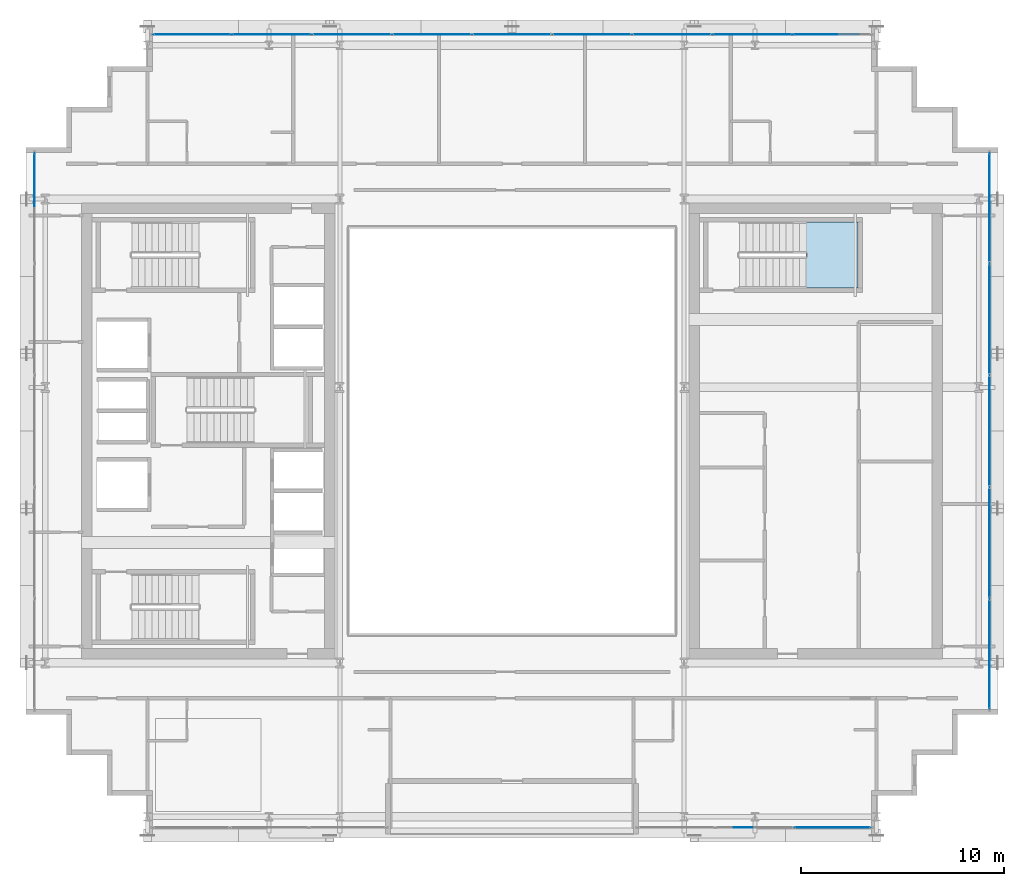
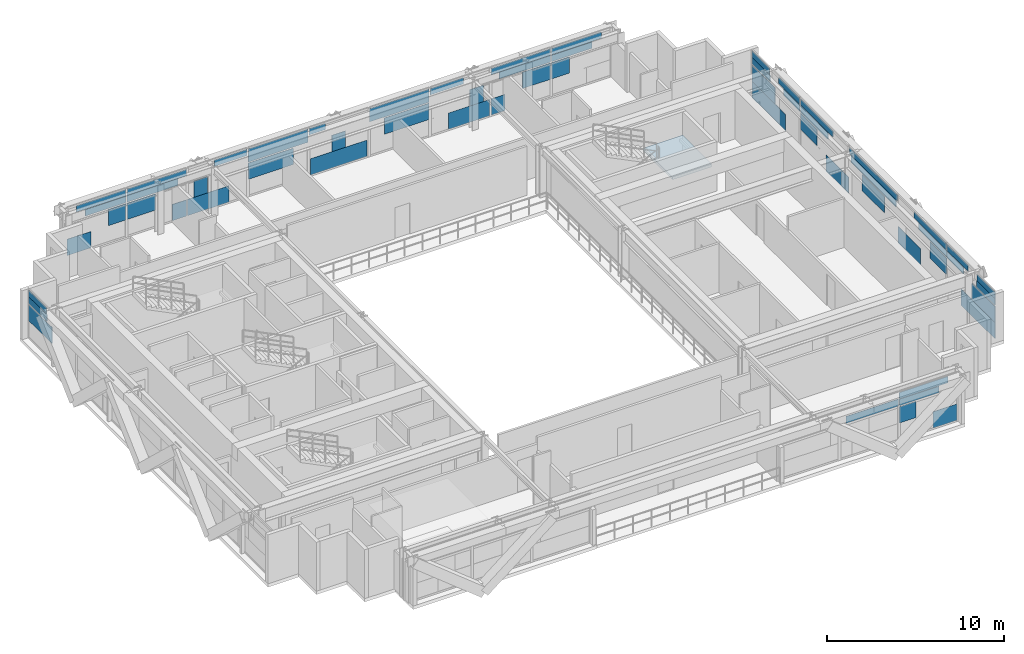
# One storey, part 21 of 31: 59 plates, 1 slab, 5 elements without a shape of their own.
"""IFC4 building model written with IfcOpenShell, lengths in metres."""

from ifc_helpers import new_model, si_unit, direction, frame, origin, origin_2d, place, context, subcontext, project, spatial, polyline, rectangle, outline, extrude, source, transform, mapped, material, layer, layer_set, type_object, element, aggregate, save


model = new_model("IFC4")

# Units and contexts
model_context = context("Model", 3, precision=1e-05, world=origin(), true_north=direction((0.0, 1.0)))
body_context = subcontext(model_context, "Body", "Model", "MODEL_VIEW")
ifc_project = project(units=[si_unit("LENGTHUNIT", "METRE"), si_unit("AREAUNIT", "SQUARE_METRE"), si_unit("VOLUMEUNIT", "CUBIC_METRE"), si_unit("PLANEANGLEUNIT", "RADIAN"), si_unit("MASSUNIT", "GRAM", prefix="KILO")], contexts=[model_context])

# Site, building, storey
site_placement = place(None, origin())
site = spatial("IfcSite", under=ifc_project, at=site_placement, CompositionType="ELEMENT")
building_placement = place(site_placement, origin())
building = spatial("IfcBuilding", under=site, at=building_placement, Name="Ocotamira Hotel", CompositionType="ELEMENT")
storey_placement = place(building_placement, frame((0.0, 0.0, 199.199951171875)))
storey = spatial("IfcBuildingStorey", under=building, at=storey_placement, Name="L50", CompositionType="ELEMENT", Elevation=199.199951171875)

# Stair, slab
ifc_material_1 = material(Name="Concrete C40/50", Category="concrete")
stair_type = type_object("IfcStairType", Name="ST-CORE-1560", PredefinedType="HALF_TURN_STAIR", material=ifc_material_1)
stair_placement = place(storey_placement, origin())
stair = element("IfcStair", 1, at=stair_placement, inside=storey, type_object=stair_type, Name="L50 Exit Stair ST-4", PredefinedType="HALF_TURN_STAIR")
ifc_layer_1 = layer(ifc_material_1, 0.199951171875)
ifc_layer_set_1 = layer_set([ifc_layer_1], Name="Concrete C40/50")
slab_type = type_object("IfcSlabType", Name="SLB-LAND-200", PredefinedType="LANDING", material=ifc_layer_set_1)
slab_placement = place(storey_placement, frame((0.0, 0.0, 1.60009765625)))
slab = element("IfcSlab", 2, at=slab_placement, type_object=slab_type, Name="ST-4 landing 1", PredefinedType="LANDING", context=body_context, shape_type="SweptSolid", body=[
    extrude(outline(polyline([(46.530029296875, 33.050048828125), (49.090087890625, 33.050048828125), (49.090087890625, 36.330078125), (46.530029296875, 36.330078125), (46.530029296875, 33.050048828125)])), origin(), (0.0, 0.0, 1.0), 0.199951171875),
])
aggregate(stair, [slab])

# Curtain wall, plate
ifc_material_2 = material(Name="Anodised pale-metal aluminium and solar glass", Category="aluminium")
ifc_layer_2 = layer(ifc_material_2, 0.199951171875)
ifc_layer_set_2 = layer_set([ifc_layer_2], Name="Anodised pale-metal aluminium and solar glass")
curtain_wall_type = type_object("IfcCurtainWallType", Name="CW-SYS4-Z3", PredefinedType="NOTDEFINED", material=ifc_layer_set_2)
curtain_wall_1_placement = place(storey_placement, origin())
curtain_wall_1 = element("IfcCurtainWall", 3, at=curtain_wall_1_placement, inside=storey, type_object=curtain_wall_type, Name="L50 Curtain Wall CW-4 CW-L50-S2", PredefinedType="NOTDEFINED")
ifc_material_3 = material(Name="Double-silver low-E insulated solar glass", Category="glass")
ifc_layer_3 = layer(ifc_material_3, 0.031982421875)
ifc_layer_set_3 = layer_set([ifc_layer_3], Name="Double-silver low-E insulated solar glass")
plate_type = type_object("IfcPlateType", Name="CWP-VISION-32", PredefinedType="CURTAIN_PANEL", material=ifc_layer_set_3)
shared_shape_1 = source(origin(), body_context, "Body", "SweptSolid", [
    extrude(rectangle(XDim=1.5673828125, YDim=0.031982421875, at=origin_2d()), origin(), (0.0, 0.0, 1.0), 1.118896484375),
])
plate_1_placement = place(storey_placement, frame((48.936279296875, 6.419921875, 0.0751953125), z_axis=(0.0, 0.0, 1.0), x_axis=(1.0, 0.0, 0.0)))
plate_1 = element("IfcPlate", 4, at=plate_1_placement, type_object=plate_type, Name="CW-4 panel 3.1.2", PredefinedType="CURTAIN_PANEL", context=body_context, shape_type="MappedRepresentation", body=[
    mapped(shared_shape_1, transform((0.0, 0.0, 0.0), scale=1.0)),
])

# Curtain wall, plates
curtain_wall_2_placement = place(storey_placement, origin())
curtain_wall_2 = element("IfcCurtainWall", 5, at=curtain_wall_2_placement, inside=storey, type_object=curtain_wall_type, Name="L50 Curtain Wall CW-4 CW-L50-N", PredefinedType="NOTDEFINED")
plate_2_placement = place(storey_placement, frame((15.063720703125, 45.580078125, 0.0751953125), z_axis=(0.0, 0.0, 1.0), x_axis=(1.0, 0.0, 0.0)))
plate_2 = element("IfcPlate", 6, at=plate_2_placement, type_object=plate_type, Name="CW-4 panel 1.1.1", PredefinedType="CURTAIN_PANEL", context=body_context, shape_type="MappedRepresentation", body=[
    mapped(shared_shape_1, transform((0.0, 0.0, 0.0), scale=1.0)),
])
shared_shape_2 = source(origin(), body_context, "Body", "SweptSolid", [
    extrude(rectangle(XDim=1.1474609375, YDim=0.031982421875, at=origin_2d()), origin(), (0.0, 0.0, 1.0), 1.11865234375),
])
plate_3_placement = place(storey_placement, frame((17.541748046875, 45.580078125, 1.19384765625), z_axis=(0.0, 0.0, 1.0), x_axis=(1.0, 0.0, 0.0)))
plate_3 = element("IfcPlate", 7, at=plate_3_placement, type_object=plate_type, Name="CW-4 panel 1.1.2", PredefinedType="CURTAIN_PANEL", context=body_context, shape_type="MappedRepresentation", body=[
    mapped(shared_shape_2, transform((0.0, 0.0, 0.0), scale=1.0)),
])
plate_4_placement = place(storey_placement, frame((46.458251953125, 45.580078125, 1.19384765625), z_axis=(0.0, 0.0, 1.0), x_axis=(1.0, 0.0, 0.0)))
plate_4 = element("IfcPlate", 8, at=plate_4_placement, type_object=plate_type, Name="CW-4 panel 9.1.1", PredefinedType="CURTAIN_PANEL", context=body_context, shape_type="MappedRepresentation", body=[
    mapped(shared_shape_2, transform((0.0, 0.0, 0.0), scale=1.0)),
])
shared_shape_3 = source(origin(), body_context, "Body", "SweptSolid", [
    extrude(rectangle(XDim=3.233154296875, YDim=0.031982421875, at=origin_2d()), origin(), (0.0, 0.0, 1.0), 0.4326171875),
])
plate_5_placement = place(storey_placement, frame((16.4990234375, 45.580078125, 2.862548828125), z_axis=(0.0, 0.0, 1.0), x_axis=(1.0, 0.0, 0.0)))
plate_5 = element("IfcPlate", 9, at=plate_5_placement, type_object=plate_type, Name="CW-4 panel 1.2.1", PredefinedType="CURTAIN_PANEL", context=body_context, shape_type="MappedRepresentation", body=[
    mapped(shared_shape_3, transform((0.0, 0.0, 0.0), scale=1.0)),
])
plate_6_placement = place(storey_placement, frame((47.5009765625, 45.580078125, 2.862548828125), z_axis=(0.0, 0.0, 1.0), x_axis=(1.0, 0.0, 0.0)))
plate_6 = element("IfcPlate", 10, at=plate_6_placement, type_object=plate_type, Name="CW-4 panel 9.2.2", PredefinedType="CURTAIN_PANEL", context=body_context, shape_type="MappedRepresentation", body=[
    mapped(shared_shape_3, transform((0.0, 0.0, 0.0), scale=1.0)),
])
shared_shape_4 = source(origin(), body_context, "Body", "SweptSolid", [
    extrude(rectangle(XDim=2.6396484375, YDim=0.031982421875, at=origin_2d()), origin(), (0.0, 0.0, 1.0), 0.443603515625),
])
plate_7_placement = place(storey_placement, frame((16.795654296875, 45.580078125, 2.3876953125), z_axis=(0.0, 0.0, 1.0), x_axis=(1.0, 0.0, 0.0)))
plate_7 = element("IfcPlate", 11, at=plate_7_placement, type_object=plate_type, Name="CW-4 panel 1.2.2", PredefinedType="CURTAIN_PANEL", context=body_context, shape_type="MappedRepresentation", body=[
    mapped(shared_shape_4, transform((0.0, 0.0, 0.0), scale=1.0)),
])
plate_8_placement = place(storey_placement, frame((47.204345703125, 45.580078125, 2.3876953125), z_axis=(0.0, 0.0, 1.0), x_axis=(1.0, 0.0, 0.0)))
plate_8 = element("IfcPlate", 12, at=plate_8_placement, type_object=plate_type, Name="CW-4 panel 9.2.1", PredefinedType="CURTAIN_PANEL", context=body_context, shape_type="MappedRepresentation", body=[
    mapped(shared_shape_4, transform((0.0, 0.0, 0.0), scale=1.0)),
])
shared_shape_5 = source(origin(), body_context, "Body", "SweptSolid", [
    extrude(rectangle(XDim=1.83642578125, YDim=0.031982421875, at=origin_2d()), origin(), (0.0, 0.0, 1.0), 1.11865234375),
])
plate_9_placement = place(storey_placement, frame((19.11376953125, 45.580078125, 1.19384765625), z_axis=(0.0, 0.0, 1.0), x_axis=(1.0, 0.0, 0.0)))
plate_9 = element("IfcPlate", 13, at=plate_9_placement, type_object=plate_type, Name="CW-4 panel 2.1.1", PredefinedType="CURTAIN_PANEL", context=body_context, shape_type="MappedRepresentation", body=[
    mapped(shared_shape_5, transform((0.0, 0.0, 0.0), scale=1.0)),
])
plate_10_placement = place(storey_placement, frame((44.88623046875, 45.580078125, 1.19384765625), z_axis=(0.0, 0.0, 1.0), x_axis=(1.0, 0.0, 0.0)))
plate_10 = element("IfcPlate", 14, at=plate_10_placement, type_object=plate_type, Name="CW-4 panel 8.1.2", PredefinedType="CURTAIN_PANEL", context=body_context, shape_type="MappedRepresentation", body=[
    mapped(shared_shape_5, transform((0.0, 0.0, 0.0), scale=1.0)),
])
shared_shape_6 = source(origin(), body_context, "Body", "SweptSolid", [
    extrude(rectangle(XDim=0.918701171875, YDim=0.031982421875, at=origin_2d()), origin(), (0.0, 0.0, 1.0), 1.118896484375),
])
plate_11_placement = place(storey_placement, frame((21.61181640625, 45.580078125, 0.0751953125), z_axis=(0.0, 0.0, 1.0), x_axis=(1.0, 0.0, 0.0)))
plate_11 = element("IfcPlate", 15, at=plate_11_placement, type_object=plate_type, Name="CW-4 panel 2.1.2", PredefinedType="CURTAIN_PANEL", context=body_context, shape_type="MappedRepresentation", body=[
    mapped(shared_shape_6, transform((0.0, 0.0, 0.0), scale=1.0)),
])
plate_12_placement = place(storey_placement, frame((42.38818359375, 45.580078125, 0.0751953125), z_axis=(0.0, 0.0, 1.0), x_axis=(1.0, 0.0, 0.0)))
plate_12 = element("IfcPlate", 16, at=plate_12_placement, type_object=plate_type, Name="CW-4 panel 8.1.1", PredefinedType="CURTAIN_PANEL", context=body_context, shape_type="MappedRepresentation", body=[
    mapped(shared_shape_6, transform((0.0, 0.0, 0.0), scale=1.0)),
])
shared_shape_7 = source(origin(), body_context, "Body", "SweptSolid", [
    extrude(rectangle(XDim=3.32861328125, YDim=0.031982421875, at=origin_2d()), origin(), (0.0, 0.0, 1.0), 0.474853515625),
])
plate_13_placement = place(storey_placement, frame((19.85986328125, 45.580078125, 2.3876953125), z_axis=(0.0, 0.0, 1.0), x_axis=(1.0, 0.0, 0.0)))
plate_13 = element("IfcPlate", 17, at=plate_13_placement, type_object=plate_type, Name="CW-4 panel 2.2.1", PredefinedType="CURTAIN_PANEL", context=body_context, shape_type="MappedRepresentation", body=[
    mapped(shared_shape_7, transform((0.0, 0.0, 0.0), scale=1.0)),
])
plate_14_placement = place(storey_placement, frame((44.14013671875, 45.580078125, 2.3876953125), z_axis=(0.0, 0.0, 1.0), x_axis=(1.0, 0.0, 0.0)))
plate_14 = element("IfcPlate", 18, at=plate_14_placement, type_object=plate_type, Name="CW-4 panel 8.2.2", PredefinedType="CURTAIN_PANEL", context=body_context, shape_type="MappedRepresentation", body=[
    mapped(shared_shape_7, transform((0.0, 0.0, 0.0), scale=1.0)),
])
shared_shape_8 = source(origin(), body_context, "Body", "SweptSolid", [
    extrude(rectangle(XDim=3.87548828125, YDim=0.031982421875, at=origin_2d()), origin(), (0.0, 0.0, 1.0), 0.4326171875),
])
plate_15_placement = place(storey_placement, frame((20.13330078125, 45.580078125, 2.862548828125), z_axis=(0.0, 0.0, 1.0), x_axis=(1.0, 0.0, 0.0)))
plate_15 = element("IfcPlate", 19, at=plate_15_placement, type_object=plate_type, Name="CW-4 panel 2.2.2", PredefinedType="CURTAIN_PANEL", context=body_context, shape_type="MappedRepresentation", body=[
    mapped(shared_shape_8, transform((0.0, 0.0, 0.0), scale=1.0)),
])
plate_16_placement = place(storey_placement, frame((43.86669921875, 45.580078125, 2.862548828125), z_axis=(0.0, 0.0, 1.0), x_axis=(1.0, 0.0, 0.0)))
plate_16 = element("IfcPlate", 20, at=plate_16_placement, type_object=plate_type, Name="CW-4 panel 8.2.1", PredefinedType="CURTAIN_PANEL", context=body_context, shape_type="MappedRepresentation", body=[
    mapped(shared_shape_8, transform((0.0, 0.0, 0.0), scale=1.0)),
])
shared_shape_9 = source(origin(), body_context, "Body", "SweptSolid", [
    extrude(rectangle(XDim=2.6962890625, YDim=0.031982421875, at=origin_2d()), origin(), (0.0, 0.0, 1.0), 1.118896484375),
])
plate_17_placement = place(storey_placement, frame((23.499267578125, 45.580078125, 0.0751953125), z_axis=(0.0, 0.0, 1.0), x_axis=(1.0, 0.0, 0.0)))
plate_17 = element("IfcPlate", 21, at=plate_17_placement, type_object=plate_type, Name="CW-4 panel 3.1.1", PredefinedType="CURTAIN_PANEL", context=body_context, shape_type="MappedRepresentation", body=[
    mapped(shared_shape_9, transform((0.0, 0.0, 0.0), scale=1.0)),
])
plate_18_placement = place(storey_placement, frame((40.500732421875, 45.580078125, 0.0751953125), z_axis=(0.0, 0.0, 1.0), x_axis=(1.0, 0.0, 0.0)))
plate_18 = element("IfcPlate", 22, at=plate_18_placement, type_object=plate_type, Name="CW-4 panel 7.1.1", PredefinedType="CURTAIN_PANEL", context=body_context, shape_type="MappedRepresentation", body=[
    mapped(shared_shape_9, transform((0.0, 0.0, 0.0), scale=1.0)),
])
shared_shape_10 = source(origin(), body_context, "Body", "SweptSolid", [
    extrude(rectangle(XDim=0.898193359375, YDim=0.031982421875, at=origin_2d()), origin(), (0.0, 0.0, 1.0), 1.11865234375),
])
plate_19_placement = place(storey_placement, frame((23.0, 45.580078125, 1.19384765625), z_axis=(0.0, 0.0, 1.0), x_axis=(1.0, 0.0, 0.0)))
plate_19 = element("IfcPlate", 23, at=plate_19_placement, type_object=plate_type, Name="CW-4 panel 3.1.2", PredefinedType="CURTAIN_PANEL", context=body_context, shape_type="MappedRepresentation", body=[
    mapped(shared_shape_10, transform((0.0, 0.0, 0.0), scale=1.0)),
])
plate_20_placement = place(storey_placement, frame((32.0, 45.580078125, 1.19384765625), z_axis=(0.0, 0.0, 1.0), x_axis=(1.0, 0.0, 0.0)))
plate_20 = element("IfcPlate", 24, at=plate_20_placement, type_object=plate_type, Name="CW-4 panel 5.1.2", PredefinedType="CURTAIN_PANEL", context=body_context, shape_type="MappedRepresentation", body=[
    mapped(shared_shape_10, transform((0.0, 0.0, 0.0), scale=1.0)),
])
plate_21_placement = place(storey_placement, frame((41.0, 45.580078125, 1.19384765625), z_axis=(0.0, 0.0, 1.0), x_axis=(1.0, 0.0, 0.0)))
plate_21 = element("IfcPlate", 25, at=plate_21_placement, type_object=plate_type, Name="CW-4 panel 7.1.2", PredefinedType="CURTAIN_PANEL", context=body_context, shape_type="MappedRepresentation", body=[
    mapped(shared_shape_10, transform((0.0, 0.0, 0.0), scale=1.0)),
])
shared_shape_11 = source(origin(), body_context, "Body", "SweptSolid", [
    extrude(rectangle(XDim=2.144287109375, YDim=0.031982421875, at=origin_2d()), origin(), (0.0, 0.0, 1.0), 0.4326171875),
])
plate_22_placement = place(storey_placement, frame((24.95458984375, 45.580078125, 2.862548828125), z_axis=(0.0, 0.0, 1.0), x_axis=(1.0, 0.0, 0.0)))
plate_22 = element("IfcPlate", 26, at=plate_22_placement, type_object=plate_type, Name="CW-4 panel 3.2.1", PredefinedType="CURTAIN_PANEL", context=body_context, shape_type="MappedRepresentation", body=[
    mapped(shared_shape_11, transform((0.0, 0.0, 0.0), scale=1.0)),
])
plate_23_placement = place(storey_placement, frame((39.04541015625, 45.580078125, 2.862548828125), z_axis=(0.0, 0.0, 1.0), x_axis=(1.0, 0.0, 0.0)))
plate_23 = element("IfcPlate", 27, at=plate_23_placement, type_object=plate_type, Name="CW-4 panel 7.2.1", PredefinedType="CURTAIN_PANEL", context=body_context, shape_type="MappedRepresentation", body=[
    mapped(shared_shape_11, transform((0.0, 0.0, 0.0), scale=1.0)),
])
shared_shape_12 = source(origin(), body_context, "Body", "SweptSolid", [
    extrude(rectangle(XDim=2.92529296875, YDim=0.031982421875, at=origin_2d()), origin(), (0.0, 0.0, 1.0), 1.11865234375),
])
plate_24_placement = place(storey_placement, frame((27.5693359375, 45.580078125, 1.19384765625), z_axis=(0.0, 0.0, 1.0), x_axis=(1.0, 0.0, 0.0)))
plate_24 = element("IfcPlate", 28, at=plate_24_placement, type_object=plate_type, Name="CW-4 panel 4.1.1", PredefinedType="CURTAIN_PANEL", context=body_context, shape_type="MappedRepresentation", body=[
    mapped(shared_shape_12, transform((0.0, 0.0, 0.0), scale=1.0)),
])
plate_25_placement = place(storey_placement, frame((36.4306640625, 45.580078125, 1.19384765625), z_axis=(0.0, 0.0, 1.0), x_axis=(1.0, 0.0, 0.0)))
plate_25 = element("IfcPlate", 29, at=plate_25_placement, type_object=plate_type, Name="CW-4 panel 6.1.1", PredefinedType="CURTAIN_PANEL", context=body_context, shape_type="MappedRepresentation", body=[
    mapped(shared_shape_12, transform((0.0, 0.0, 0.0), scale=1.0)),
])
shared_shape_13 = source(origin(), body_context, "Body", "SweptSolid", [
    extrude(rectangle(XDim=3.87548828125, YDim=0.031982421875, at=origin_2d()), origin(), (0.0, 0.0, 1.0), 0.907470703125),
])
plate_26_placement = place(storey_placement, frame((28.04443359375, 45.580078125, 2.3876953125), z_axis=(0.0, 0.0, 1.0), x_axis=(1.0, 0.0, 0.0)))
plate_26 = element("IfcPlate", 30, at=plate_26_placement, type_object=plate_type, Name="CW-4 panel 4.2", PredefinedType="CURTAIN_PANEL", context=body_context, shape_type="MappedRepresentation", body=[
    mapped(shared_shape_13, transform((0.0, 0.0, 0.0), scale=1.0)),
])
plate_27_placement = place(storey_placement, frame((35.95556640625, 45.580078125, 2.3876953125), z_axis=(0.0, 0.0, 1.0), x_axis=(1.0, 0.0, 0.0)))
plate_27 = element("IfcPlate", 31, at=plate_27_placement, type_object=plate_type, Name="CW-4 panel 6.2", PredefinedType="CURTAIN_PANEL", context=body_context, shape_type="MappedRepresentation", body=[
    mapped(shared_shape_13, transform((0.0, 0.0, 0.0), scale=1.0)),
])
shared_shape_14 = source(origin(), body_context, "Body", "SweptSolid", [
    extrude(rectangle(XDim=3.695068359375, YDim=0.031982421875, at=origin_2d()), origin(), (0.0, 0.0, 1.0), 1.118896484375),
])
plate_28_placement = place(storey_placement, frame((32.0, 45.580078125, 0.0751953125), z_axis=(0.0, 0.0, 1.0), x_axis=(1.0, 0.0, 0.0)))
plate_28 = element("IfcPlate", 32, at=plate_28_placement, type_object=plate_type, Name="CW-4 panel 5.1.1", PredefinedType="CURTAIN_PANEL", context=body_context, shape_type="MappedRepresentation", body=[
    mapped(shared_shape_14, transform((0.0, 0.0, 0.0), scale=1.0)),
])
shared_shape_15 = source(origin(), body_context, "Body", "SweptSolid", [
    extrude(rectangle(XDim=1.055419921875, YDim=0.031982421875, at=origin_2d()), origin(), (0.0, 0.0, 1.0), 0.4326171875),
])
plate_29_placement = place(storey_placement, frame((30.58984375, 45.580078125, 2.862548828125), z_axis=(0.0, 0.0, 1.0), x_axis=(1.0, 0.0, 0.0)))
plate_29 = element("IfcPlate", 33, at=plate_29_placement, type_object=plate_type, Name="CW-4 panel 5.2.1", PredefinedType="CURTAIN_PANEL", context=body_context, shape_type="MappedRepresentation", body=[
    mapped(shared_shape_15, transform((0.0, 0.0, 0.0), scale=1.0)),
])
aggregate(curtain_wall_2, [plate_2, plate_3, plate_5, plate_7, plate_9, plate_11, plate_13, plate_15, plate_17, plate_19, plate_22, plate_24, plate_26, plate_28, plate_20, plate_29, plate_25, plate_27, plate_18, plate_21, plate_23, plate_12, plate_10, plate_16, plate_14, plate_4, plate_8, plate_6])

curtain_wall_3_placement = place(storey_placement, origin())
curtain_wall_3 = element("IfcCurtainWall", 34, at=curtain_wall_3_placement, inside=storey, type_object=curtain_wall_type, Name="L50 Curtain Wall CW-4 CW-L50-E", PredefinedType="NOTDEFINED")
shared_shape_16 = source(origin(), body_context, "Body", "SweptSolid", [
    extrude(rectangle(XDim=3.802001953125, YDim=0.031982421875, at=origin_2d()), origin(), (0.0, 0.0, 1.0), 1.118896484375),
])
plate_30_placement = place(storey_placement, frame((55.580078125, 14.180908203125, 0.0751953125), z_axis=(0.0, 0.0, 1.0), x_axis=(0.0, 1.0, 0.0)))
plate_30 = element("IfcPlate", 35, at=plate_30_placement, type_object=plate_type, Name="CW-4 panel 1.1.1", PredefinedType="CURTAIN_PANEL", context=body_context, shape_type="MappedRepresentation", body=[
    mapped(shared_shape_16, transform((0.0, 0.0, 0.0), scale=1.0)),
])
plate_31_placement = place(storey_placement, frame((55.580078125, 37.819091796875, 0.0751953125), z_axis=(0.0, 0.0, 1.0), x_axis=(0.0, 1.0, 0.0)))
plate_31 = element("IfcPlate", 36, at=plate_31_placement, type_object=plate_type, Name="CW-4 panel 5.1.1", PredefinedType="CURTAIN_PANEL", context=body_context, shape_type="MappedRepresentation", body=[
    mapped(shared_shape_16, transform((0.0, 0.0, 0.0), scale=1.0)),
])

# Curtain wall, plate
curtain_wall_4_placement = place(storey_placement, origin())
curtain_wall_4 = element("IfcCurtainWall", 37, at=curtain_wall_4_placement, inside=storey, type_object=curtain_wall_type, Name="L50 Curtain Wall CW-4 CW-L50-W", PredefinedType="NOTDEFINED")
shared_shape_17 = source(origin(), body_context, "Body", "SweptSolid", [
    extrude(rectangle(XDim=2.615966796875, YDim=0.031982421875, at=origin_2d()), origin(), (0.0, 0.0, 1.0), 1.11865234375),
])
plate_32_placement = place(storey_placement, frame((8.419921875, 38.412109375, 1.19384765625), z_axis=(0.0, 0.0, 1.0), x_axis=(0.0, 1.0, 0.0)))
plate_32 = element("IfcPlate", 38, at=plate_32_placement, type_object=plate_type, Name="CW-4 panel 5.1.2", PredefinedType="CURTAIN_PANEL", context=body_context, shape_type="MappedRepresentation", body=[
    mapped(shared_shape_17, transform((0.0, 0.0, 0.0), scale=1.0)),
])

# Plate
plate_33_placement = place(storey_placement, frame((55.580078125, 13.587890625, 1.19384765625), z_axis=(0.0, 0.0, 1.0), x_axis=(0.0, 1.0, 0.0)))
plate_33 = element("IfcPlate", 39, at=plate_33_placement, type_object=plate_type, Name="CW-4 panel 1.1.2", PredefinedType="CURTAIN_PANEL", context=body_context, shape_type="MappedRepresentation", body=[
    mapped(shared_shape_17, transform((0.0, 0.0, 0.0), scale=1.0)),
])

plate_34_placement = place(storey_placement, frame((55.580078125, 38.412109375, 1.19384765625), z_axis=(0.0, 0.0, 1.0), x_axis=(0.0, 1.0, 0.0)))
plate_34 = element("IfcPlate", 40, at=plate_34_placement, type_object=plate_type, Name="CW-4 panel 5.1.2", PredefinedType="CURTAIN_PANEL", context=body_context, shape_type="MappedRepresentation", body=[
    mapped(shared_shape_17, transform((0.0, 0.0, 0.0), scale=1.0)),
])

shared_shape_18 = source(origin(), body_context, "Body", "SweptSolid", [
    extrude(rectangle(XDim=2.048095703125, YDim=0.031982421875, at=origin_2d()), origin(), (0.0, 0.0, 1.0), 0.460693359375),
])
plate_35_placement = place(storey_placement, frame((8.419921875, 38.696044921875, 2.3876953125), z_axis=(0.0, 0.0, 1.0), x_axis=(0.0, 1.0, 0.0)))
plate_35 = element("IfcPlate", 41, at=plate_35_placement, type_object=plate_type, Name="CW-4 panel 5.2.3", PredefinedType="CURTAIN_PANEL", context=body_context, shape_type="MappedRepresentation", body=[
    mapped(shared_shape_18, transform((0.0, 0.0, 0.0), scale=1.0)),
])

plate_36_placement = place(storey_placement, frame((55.580078125, 13.303955078125, 2.3876953125), z_axis=(0.0, 0.0, 1.0), x_axis=(0.0, 1.0, 0.0)))
plate_36 = element("IfcPlate", 42, at=plate_36_placement, type_object=plate_type, Name="CW-4 panel 1.2.1", PredefinedType="CURTAIN_PANEL", context=body_context, shape_type="MappedRepresentation", body=[
    mapped(shared_shape_18, transform((0.0, 0.0, 0.0), scale=1.0)),
])

plate_37_placement = place(storey_placement, frame((55.580078125, 38.696044921875, 2.3876953125), z_axis=(0.0, 0.0, 1.0), x_axis=(0.0, 1.0, 0.0)))
plate_37 = element("IfcPlate", 43, at=plate_37_placement, type_object=plate_type, Name="CW-4 panel 5.2.3", PredefinedType="CURTAIN_PANEL", context=body_context, shape_type="MappedRepresentation", body=[
    mapped(shared_shape_18, transform((0.0, 0.0, 0.0), scale=1.0)),
])

shared_shape_19 = source(origin(), body_context, "Body", "SweptSolid", [
    extrude(rectangle(XDim=2.01171875, YDim=0.031982421875, at=origin_2d()), origin(), (0.0, 0.0, 1.0), 0.44677734375),
])
plate_38_placement = place(storey_placement, frame((8.419921875, 38.714111328125, 2.84814453125), z_axis=(0.0, 0.0, 1.0), x_axis=(0.0, 1.0, 0.0)))
plate_38 = element("IfcPlate", 44, at=plate_38_placement, type_object=plate_type, Name="CW-4 panel 5.2.4", PredefinedType="CURTAIN_PANEL", context=body_context, shape_type="MappedRepresentation", body=[
    mapped(shared_shape_19, transform((0.0, 0.0, 0.0), scale=1.0)),
])

aggregate(curtain_wall_4, [plate_32, plate_35, plate_38])

plate_39_placement = place(storey_placement, frame((55.580078125, 13.285888671875, 2.84814453125), z_axis=(0.0, 0.0, 1.0), x_axis=(0.0, 1.0, 0.0)))
plate_39 = element("IfcPlate", 45, at=plate_39_placement, type_object=plate_type, Name="CW-4 panel 1.2.2", PredefinedType="CURTAIN_PANEL", context=body_context, shape_type="MappedRepresentation", body=[
    mapped(shared_shape_19, transform((0.0, 0.0, 0.0), scale=1.0)),
])

plate_40_placement = place(storey_placement, frame((55.580078125, 38.714111328125, 2.84814453125), z_axis=(0.0, 0.0, 1.0), x_axis=(0.0, 1.0, 0.0)))
plate_40 = element("IfcPlate", 46, at=plate_40_placement, type_object=plate_type, Name="CW-4 panel 5.2.4", PredefinedType="CURTAIN_PANEL", context=body_context, shape_type="MappedRepresentation", body=[
    mapped(shared_shape_19, transform((0.0, 0.0, 0.0), scale=1.0)),
])

shared_shape_20 = source(origin(), body_context, "Body", "SweptSolid", [
    extrude(rectangle(XDim=2.3681640625, YDim=0.031982421875, at=origin_2d()), origin(), (0.0, 0.0, 1.0), 0.41259765625),
])
plate_41_placement = place(storey_placement, frame((55.580078125, 16.495849609375, 2.882568359375), z_axis=(0.0, 0.0, 1.0), x_axis=(0.0, 1.0, 0.0)))
plate_41 = element("IfcPlate", 47, at=plate_41_placement, type_object=plate_type, Name="CW-4 panel 1.2.3", PredefinedType="CURTAIN_PANEL", context=body_context, shape_type="MappedRepresentation", body=[
    mapped(shared_shape_20, transform((0.0, 0.0, 0.0), scale=1.0)),
])

plate_42_placement = place(storey_placement, frame((55.580078125, 35.504150390625, 2.882568359375), z_axis=(0.0, 0.0, 1.0), x_axis=(0.0, 1.0, 0.0)))
plate_42 = element("IfcPlate", 48, at=plate_42_placement, type_object=plate_type, Name="CW-4 panel 5.2.2", PredefinedType="CURTAIN_PANEL", context=body_context, shape_type="MappedRepresentation", body=[
    mapped(shared_shape_20, transform((0.0, 0.0, 0.0), scale=1.0)),
])

shared_shape_21 = source(origin(), body_context, "Body", "SweptSolid", [
    extrude(rectangle(XDim=1.84326171875, YDim=0.031982421875, at=origin_2d()), origin(), (0.0, 0.0, 1.0), 0.460693359375),
])
plate_43_placement = place(storey_placement, frame((55.580078125, 16.75830078125, 2.3876953125), z_axis=(0.0, 0.0, 1.0), x_axis=(0.0, 1.0, 0.0)))
plate_43 = element("IfcPlate", 49, at=plate_43_placement, type_object=plate_type, Name="CW-4 panel 1.2.4", PredefinedType="CURTAIN_PANEL", context=body_context, shape_type="MappedRepresentation", body=[
    mapped(shared_shape_21, transform((0.0, 0.0, 0.0), scale=1.0)),
])

plate_44_placement = place(storey_placement, frame((55.580078125, 35.24169921875, 2.3876953125), z_axis=(0.0, 0.0, 1.0), x_axis=(0.0, 1.0, 0.0)))
plate_44 = element("IfcPlate", 50, at=plate_44_placement, type_object=plate_type, Name="CW-4 panel 5.2.1", PredefinedType="CURTAIN_PANEL", context=body_context, shape_type="MappedRepresentation", body=[
    mapped(shared_shape_21, transform((0.0, 0.0, 0.0), scale=1.0)),
])

shared_shape_22 = source(origin(), body_context, "Body", "SweptSolid", [
    extrude(rectangle(XDim=1.87109375, YDim=0.031982421875, at=origin_2d()), origin(), (0.0, 0.0, 1.0), 1.11865234375),
])
plate_45_placement = place(storey_placement, frame((55.580078125, 18.695556640625, 1.19384765625), z_axis=(0.0, 0.0, 1.0), x_axis=(0.0, 1.0, 0.0)))
plate_45 = element("IfcPlate", 51, at=plate_45_placement, type_object=plate_type, Name="CW-4 panel 2.1.1", PredefinedType="CURTAIN_PANEL", context=body_context, shape_type="MappedRepresentation", body=[
    mapped(shared_shape_22, transform((0.0, 0.0, 0.0), scale=1.0)),
])

plate_46_placement = place(storey_placement, frame((55.580078125, 33.304443359375, 1.19384765625), z_axis=(0.0, 0.0, 1.0), x_axis=(0.0, 1.0, 0.0)))
plate_46 = element("IfcPlate", 52, at=plate_46_placement, type_object=plate_type, Name="CW-4 panel 4.1.2", PredefinedType="CURTAIN_PANEL", context=body_context, shape_type="MappedRepresentation", body=[
    mapped(shared_shape_22, transform((0.0, 0.0, 0.0), scale=1.0)),
])

shared_shape_23 = source(origin(), body_context, "Body", "SweptSolid", [
    extrude(rectangle(XDim=2.548828125, YDim=0.031982421875, at=origin_2d()), origin(), (0.0, 0.0, 1.0), 1.118896484375),
])
plate_47_placement = place(storey_placement, frame((55.580078125, 21.925537109375, 0.0751953125), z_axis=(0.0, 0.0, 1.0), x_axis=(0.0, 1.0, 0.0)))
plate_47 = element("IfcPlate", 53, at=plate_47_placement, type_object=plate_type, Name="CW-4 panel 2.1.2", PredefinedType="CURTAIN_PANEL", context=body_context, shape_type="MappedRepresentation", body=[
    mapped(shared_shape_23, transform((0.0, 0.0, 0.0), scale=1.0)),
])

plate_48_placement = place(storey_placement, frame((55.580078125, 30.074462890625, 0.0751953125), z_axis=(0.0, 0.0, 1.0), x_axis=(0.0, 1.0, 0.0)))
plate_48 = element("IfcPlate", 54, at=plate_48_placement, type_object=plate_type, Name="CW-4 panel 4.1.1", PredefinedType="CURTAIN_PANEL", context=body_context, shape_type="MappedRepresentation", body=[
    mapped(shared_shape_23, transform((0.0, 0.0, 0.0), scale=1.0)),
])

shared_shape_24 = source(origin(), body_context, "Body", "SweptSolid", [
    extrude(rectangle(XDim=3.13671875, YDim=0.031982421875, at=origin_2d()), origin(), (0.0, 0.0, 1.0), 0.460693359375),
])
plate_49_placement = place(storey_placement, frame((55.580078125, 19.328369140625, 2.3876953125), z_axis=(0.0, 0.0, 1.0), x_axis=(0.0, 1.0, 0.0)))
plate_49 = element("IfcPlate", 55, at=plate_49_placement, type_object=plate_type, Name="CW-4 panel 2.2.1", PredefinedType="CURTAIN_PANEL", context=body_context, shape_type="MappedRepresentation", body=[
    mapped(shared_shape_24, transform((0.0, 0.0, 0.0), scale=1.0)),
])

plate_50_placement = place(storey_placement, frame((55.580078125, 32.671630859375, 2.3876953125), z_axis=(0.0, 0.0, 1.0), x_axis=(0.0, 1.0, 0.0)))
plate_50 = element("IfcPlate", 56, at=plate_50_placement, type_object=plate_type, Name="CW-4 panel 4.2.2", PredefinedType="CURTAIN_PANEL", context=body_context, shape_type="MappedRepresentation", body=[
    mapped(shared_shape_24, transform((0.0, 0.0, 0.0), scale=1.0)),
])

shared_shape_25 = source(origin(), body_context, "Body", "SweptSolid", [
    extrude(rectangle(XDim=3.66162109375, YDim=0.031982421875, at=origin_2d()), origin(), (0.0, 0.0, 1.0), 0.41259765625),
])
plate_51_placement = place(storey_placement, frame((55.580078125, 19.5908203125, 2.882568359375), z_axis=(0.0, 0.0, 1.0), x_axis=(0.0, 1.0, 0.0)))
plate_51 = element("IfcPlate", 57, at=plate_51_placement, type_object=plate_type, Name="CW-4 panel 2.2.2", PredefinedType="CURTAIN_PANEL", context=body_context, shape_type="MappedRepresentation", body=[
    mapped(shared_shape_25, transform((0.0, 0.0, 0.0), scale=1.0)),
])

plate_52_placement = place(storey_placement, frame((55.580078125, 32.4091796875, 2.882568359375), z_axis=(0.0, 0.0, 1.0), x_axis=(0.0, 1.0, 0.0)))
plate_52 = element("IfcPlate", 58, at=plate_52_placement, type_object=plate_type, Name="CW-4 panel 4.2.1", PredefinedType="CURTAIN_PANEL", context=body_context, shape_type="MappedRepresentation", body=[
    mapped(shared_shape_25, transform((0.0, 0.0, 0.0), scale=1.0)),
])

shared_shape_26 = source(origin(), body_context, "Body", "SweptSolid", [
    extrude(rectangle(XDim=2.52880859375, YDim=0.031982421875, at=origin_2d()), origin(), (0.0, 0.0, 1.0), 1.11865234375),
])
plate_53_placement = place(storey_placement, frame((55.580078125, 26.0, 1.19384765625), z_axis=(0.0, 0.0, 1.0), x_axis=(0.0, 1.0, 0.0)))
plate_53 = element("IfcPlate", 59, at=plate_53_placement, type_object=plate_type, Name="CW-4 panel 3.1.1", PredefinedType="CURTAIN_PANEL", context=body_context, shape_type="MappedRepresentation", body=[
    mapped(shared_shape_26, transform((0.0, 0.0, 0.0), scale=1.0)),
])

shared_shape_27 = source(origin(), body_context, "Body", "SweptSolid", [
    extrude(rectangle(XDim=5.43994140625, YDim=0.031982421875, at=origin_2d()), origin(), (0.0, 0.0, 1.0), 0.41259765625),
])
plate_54_placement = place(storey_placement, frame((55.580078125, 26.0, 2.882568359375), z_axis=(0.0, 0.0, 1.0), x_axis=(0.0, 1.0, 0.0)))
plate_54 = element("IfcPlate", 60, at=plate_54_placement, type_object=plate_type, Name="CW-4 panel 3.2.1", PredefinedType="CURTAIN_PANEL", context=body_context, shape_type="MappedRepresentation", body=[
    mapped(shared_shape_27, transform((0.0, 0.0, 0.0), scale=1.0)),
])

shared_shape_28 = source(origin(), body_context, "Body", "SweptSolid", [
    extrude(rectangle(XDim=5.06005859375, YDim=0.031982421875, at=origin_2d()), origin(), (0.0, 0.0, 1.0), 0.4951171875),
])
plate_55_placement = place(storey_placement, frame((55.580078125, 26.0, 2.387451171875), z_axis=(0.0, 0.0, 1.0), x_axis=(0.0, 1.0, 0.0)))
plate_55 = element("IfcPlate", 61, at=plate_55_placement, type_object=plate_type, Name="CW-4 panel 3.2.2", PredefinedType="CURTAIN_PANEL", context=body_context, shape_type="MappedRepresentation", body=[
    mapped(shared_shape_28, transform((0.0, 0.0, 0.0), scale=1.0)),
])

aggregate(curtain_wall_3, [plate_30, plate_33, plate_36, plate_39, plate_41, plate_43, plate_45, plate_47, plate_49, plate_51, plate_53, plate_54, plate_55, plate_48, plate_46, plate_52, plate_50, plate_31, plate_34, plate_44, plate_42, plate_37, plate_40])

shared_shape_29 = source(origin(), body_context, "Body", "SweptSolid", [
    extrude(rectangle(XDim=3.160888671875, YDim=0.031982421875, at=origin_2d()), origin(), (0.0, 0.0, 1.0), 0.4326171875),
])
plate_56_placement = place(storey_placement, frame((47.537109375, 6.419921875, 2.862548828125), z_axis=(0.0, 0.0, 1.0), x_axis=(1.0, 0.0, 0.0)))
plate_56 = element("IfcPlate", 62, at=plate_56_placement, type_object=plate_type, Name="CW-4 panel 3.2.2", PredefinedType="CURTAIN_PANEL", context=body_context, shape_type="MappedRepresentation", body=[
    mapped(shared_shape_29, transform((0.0, 0.0, 0.0), scale=1.0)),
])

shared_shape_30 = source(origin(), body_context, "Body", "SweptSolid", [
    extrude(rectangle(XDim=2.5673828125, YDim=0.031982421875, at=origin_2d()), origin(), (0.0, 0.0, 1.0), 0.443603515625),
])
plate_57_placement = place(storey_placement, frame((47.240478515625, 6.419921875, 2.3876953125), z_axis=(0.0, 0.0, 1.0), x_axis=(1.0, 0.0, 0.0)))
plate_57 = element("IfcPlate", 63, at=plate_57_placement, type_object=plate_type, Name="CW-4 panel 3.2.1", PredefinedType="CURTAIN_PANEL", context=body_context, shape_type="MappedRepresentation", body=[
    mapped(shared_shape_30, transform((0.0, 0.0, 0.0), scale=1.0)),
])

shared_shape_31 = source(origin(), body_context, "Body", "SweptSolid", [
    extrude(rectangle(XDim=3.40087890625, YDim=0.031982421875, at=origin_2d()), origin(), (0.0, 0.0, 1.0), 0.474853515625),
])
plate_58_placement = place(storey_placement, frame((44.17626953125, 6.419921875, 2.3876953125), z_axis=(0.0, 0.0, 1.0), x_axis=(1.0, 0.0, 0.0)))
plate_58 = element("IfcPlate", 64, at=plate_58_placement, type_object=plate_type, Name="CW-4 panel 2.2.2", PredefinedType="CURTAIN_PANEL", context=body_context, shape_type="MappedRepresentation", body=[
    mapped(shared_shape_31, transform((0.0, 0.0, 0.0), scale=1.0)),
])

shared_shape_32 = source(origin(), body_context, "Body", "SweptSolid", [
    extrude(rectangle(XDim=1.0751953125, YDim=0.031982421875, at=origin_2d()), origin(), (0.0, 0.0, 1.0), 1.11865234375),
])
plate_59_placement = place(storey_placement, frame((46.494384765625, 6.419921875, 1.19384765625), z_axis=(0.0, 0.0, 1.0), x_axis=(1.0, 0.0, 0.0)))
plate_59 = element("IfcPlate", 65, at=plate_59_placement, type_object=plate_type, Name="CW-4 panel 3.1.1", PredefinedType="CURTAIN_PANEL", context=body_context, shape_type="MappedRepresentation", body=[
    mapped(shared_shape_32, transform((0.0, 0.0, 0.0), scale=1.0)),
])

aggregate(curtain_wall_1, [plate_58, plate_59, plate_1, plate_57, plate_56])

save(model, "model.ifc")
